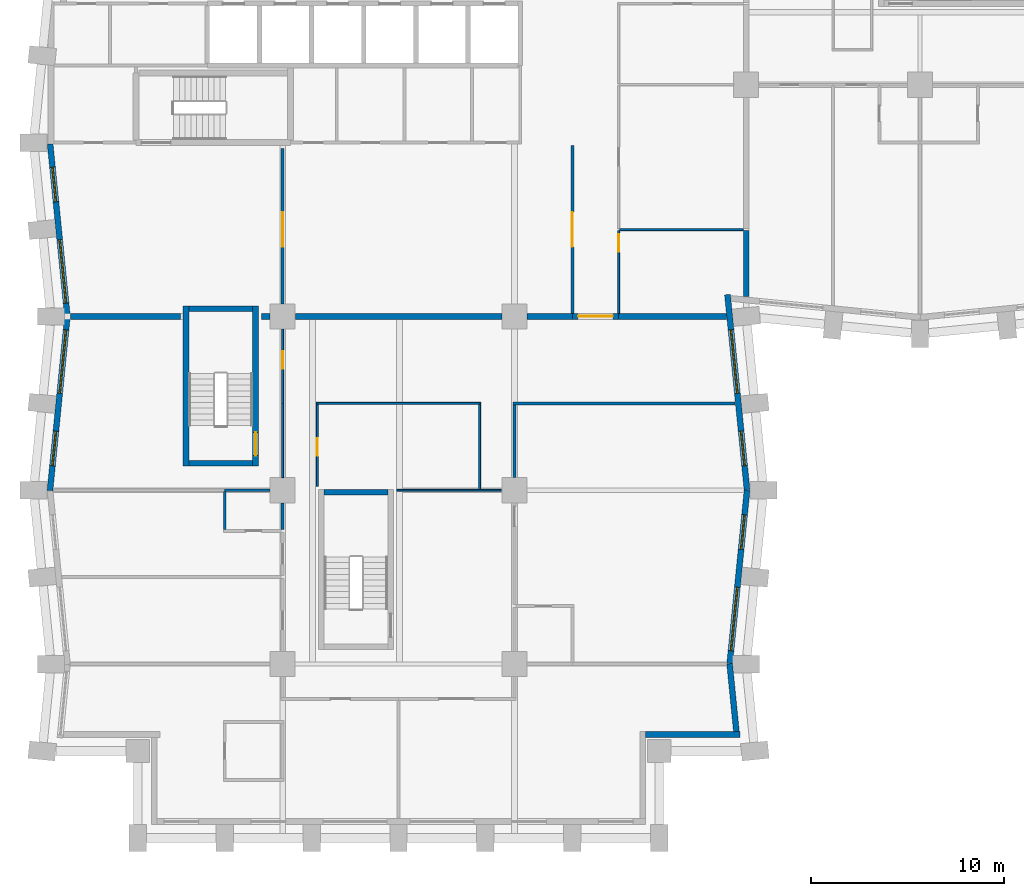
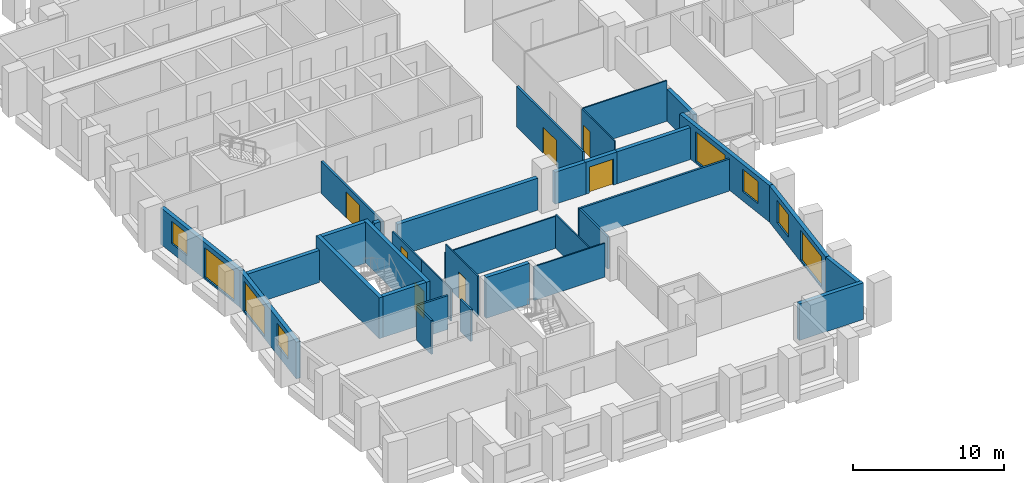
# One storey, part 4 of 13: 33 walls, 8 windows, 7 doors, 15 openings.
"""IFC4 building model written with IfcOpenShell, lengths in metres."""

from ifc_helpers import new_model, si_unit, direction, frame, frame_2d, origin, place, context, subcontext, project, spatial, rectangle, extrude, material, layer, layer_set, type_object, element, fill, save


model = new_model("IFC4")

# Units and contexts
model_context = context("Model", 3, precision=1e-05, world=origin(), true_north=direction((0.0, 1.0)))
body_context = subcontext(model_context, "Body", "Model", "MODEL_VIEW")
ifc_project = project(units=[si_unit("LENGTHUNIT", "METRE"), si_unit("AREAUNIT", "SQUARE_METRE"), si_unit("VOLUMEUNIT", "CUBIC_METRE"), si_unit("PLANEANGLEUNIT", "RADIAN"), si_unit("MASSUNIT", "GRAM", prefix="KILO")], contexts=[model_context])

# Site, building, storey
site_placement = place(None, origin())
site = spatial("IfcSite", under=ifc_project, at=site_placement, CompositionType="ELEMENT")
building_placement = place(site_placement, origin())
building = spatial("IfcBuilding", under=site, at=building_placement, Name="Brondeck Convention Tower", CompositionType="ELEMENT")
storey_placement = place(building_placement, frame((0.0, 0.0, 69.89990234375)))
storey = spatial("IfcBuildingStorey", under=building, at=storey_placement, Name="L15", CompositionType="ELEMENT", Elevation=69.89990234375)

# Walls
ifc_material_1 = material(Name="Concrete compartment wall C30/37", Category="concrete")
ifc_layer_1 = layer(ifc_material_1, 0.300048828125)
ifc_layer_set_1 = layer_set([ifc_layer_1], Name="Compartment wall 300")
wall_type_1 = type_object("IfcWallType", Name="Compartment wall 300", PredefinedType="PARTITIONING", material=ifc_layer_set_1)
wall_1_placement = place(storey_placement, frame((6.699951171875, 27.0, 0.0), z_axis=(0.0, 0.0, 1.0), x_axis=(-1.0, 0.0, 0.0)))
element("IfcWall", 1, at=wall_1_placement, inside=storey, type_object=wall_type_1, Name="FLR-L15-W033", PredefinedType="PARTITIONING", context=body_context, shape_type="SweptSolid", body=[
    extrude(rectangle(XDim=5.675048828125, YDim=0.300048828125, at=frame_2d((2.83740234375, 0.0))), origin(), (0.0, 0.0, 1.0), 2.580078125),
])
wall_2_placement = place(storey_placement, frame((11.344970703125, 27.0, 0.0), z_axis=(0.0, 0.0, 1.0), x_axis=(-1.0, 0.0, 0.0)))
element("IfcWall", 2, at=wall_2_placement, inside=storey, type_object=wall_type_1, Name="FLR-L15-W034", PredefinedType="PARTITIONING", context=body_context, shape_type="SweptSolid", body=[
    extrude(rectangle(XDim=0.445068359375, YDim=0.300048828125, at=frame_2d((0.22265625, 0.0))), origin(), (0.0, 0.0, 1.0), 3.280029296875),
])
wall_3_placement = place(storey_placement, frame((23.344970703125, 27.0, 0.0), z_axis=(0.0, 0.0, 1.0), x_axis=(-1.0, 0.0, 0.0)))
element("IfcWall", 3, at=wall_3_placement, inside=storey, type_object=wall_type_1, Name="FLR-L15-W035", PredefinedType="PARTITIONING", context=body_context, shape_type="SweptSolid", body=[
    extrude(rectangle(XDim=10.68994140625, YDim=0.300048828125, at=frame_2d((5.344970703125, 0.0))), origin(), (0.0, 0.0, 1.0), 2.580078125),
])
wall_4_placement = place(storey_placement, frame((27.0, 27.0, 0.0), z_axis=(0.0, 0.0, 1.0), x_axis=(-1.0, 0.0, 0.0)))
element("IfcWall", 4, at=wall_4_placement, inside=storey, type_object=wall_type_1, Name="FLR-L15-W036", PredefinedType="PARTITIONING", context=body_context, shape_type="SweptSolid", body=[
    extrude(rectangle(XDim=2.344970703125, YDim=0.300048828125, at=frame_2d((1.17236328125, 0.0))), origin(), (0.0, 0.0, 1.0), 2.580078125),
])

# Wall, opening, door
wall_5_placement = place(storey_placement, frame((29.39990234375, 27.0, 0.0), z_axis=(0.0, 0.0, 1.0), x_axis=(-1.0, 0.0, 0.0)))
wall_5 = element("IfcWall", 5, at=wall_5_placement, inside=storey, type_object=wall_type_1, Name="FLR-L15-W037", PredefinedType="PARTITIONING", context=body_context, shape_type="SweptSolid", body=[
    extrude(rectangle(XDim=2.39990234375, YDim=0.300048828125, at=frame_2d((1.199951171875, 0.0))), origin(), (0.0, 0.0, 1.0), 2.580078125),
])
opening_1_placement = place(wall_5_placement, frame((0.300048828125, 0.0, 0.0)))
opening_1 = element("IfcOpeningElement", 6, at=opening_1_placement, cuts=wall_5, Name="Opening H4-042", PredefinedType="OPENING", context=body_context, shape_type="SweptSolid", body=[
    extrude(rectangle(XDim=1.800048828125, YDim=2.10009765625, at=frame_2d((0.89990234375, 1.050048828125))), frame((0.0, 0.159912109375, 0.0), z_axis=(0.0, -1.0, 0.0), x_axis=(1.0, 0.0, 0.0)), (0.0, 0.0, 1.0), 0.320068359375),
])
ifc_material_2 = material(Name="Steel fire door pair", Category="steel")
door_type_1 = type_object("IfcDoorType", Name="Fire door pair 1800", OperationType="DOUBLE_DOOR_SINGLE_SWING", PredefinedType="DOOR", material=ifc_material_2)
door_1_placement = place(opening_1_placement, origin())
door_1 = element("IfcDoor", 7, at=door_1_placement, inside=storey, type_object=door_type_1, Name="Door H4-042", OperationType="DOUBLE_DOOR_SINGLE_SWING", OverallHeight=2.10009765625, OverallWidth=1.800048828125, PredefinedType="DOOR", context=body_context, shape_type="SweptSolid", body=[
    extrude(rectangle(XDim=1.800048828125, YDim=2.10009765625, at=frame_2d((0.89990234375, 1.050048828125))), frame((0.0, 0.02490234375, 0.0), z_axis=(0.0, -1.0, 0.0), x_axis=(1.0, 0.0, 0.0)), (0.0, 0.0, 1.0), 0.050048828125),
])
fill(opening_1, door_1)

# Walls
wall_6_placement = place(storey_placement, frame((34.97509765625, 27.0, 0.0), z_axis=(0.0, 0.0, 1.0), x_axis=(-1.0, 0.0, 0.0)))
element("IfcWall", 8, at=wall_6_placement, inside=storey, type_object=wall_type_1, Name="FLR-L15-W038", PredefinedType="PARTITIONING", context=body_context, shape_type="SweptSolid", body=[
    extrude(rectangle(XDim=5.5751953125, YDim=0.300048828125, at=frame_2d((2.78759765625, 0.0))), origin(), (0.0, 0.0, 1.0), 2.580078125),
])
wall_7_placement = place(storey_placement, frame((36.0, 31.449951171875, 0.0), z_axis=(0.0, 0.0, 1.0), x_axis=(0.0, -1.0, 0.0)))
element("IfcWall", 9, at=wall_7_placement, inside=storey, type_object=wall_type_1, Name="FLR-L15-W041", PredefinedType="PARTITIONING", context=body_context, shape_type="SweptSolid", body=[
    extrude(rectangle(XDim=3.425048828125, YDim=0.300048828125, at=frame_2d((1.71240234375, 0.0))), origin(), (0.0, 0.0, 1.0), 2.580078125),
])
ifc_material_3 = material(Name="Precast concrete C50/60 bronze finish", Category="concrete")
ifc_layer_2 = layer(ifc_material_3, 0.070068359375, Name="Bronze precast facing")
ifc_material_4 = material(Name="Mineral wool")
ifc_layer_3 = layer(ifc_material_4, 0.159912109375, Name="Insulation")
ifc_material_5 = material(Name="Concrete C35/45", Category="concrete")
ifc_layer_4 = layer(ifc_material_5, 0.070068359375, Name="Backing")
ifc_layer_set_2 = layer_set([ifc_layer_2, ifc_layer_3, ifc_layer_4], Name="External infill wall, precast concrete C50/60 bronze facing")
wall_type_2 = type_object("IfcWallType", Name="External infill wall, precast concrete C50/60 bronze facing", PredefinedType="SOLIDWALL", material=ifc_layer_set_2)
wall_8_placement = place(storey_placement, frame((35.676513671875, 5.35009765625, 0.0), z_axis=(0.0, 0.0, 1.0), x_axis=(-1.0, 0.0, 0.0)))
element("IfcWall", 10, at=wall_8_placement, inside=storey, type_object=wall_type_2, Name="ENV-EW-L15-P0-NC-SEB0-02", PredefinedType="SOLIDWALL", context=body_context, shape_type="SweptSolid", body=[
    extrude(rectangle(XDim=4.87646484375, YDim=0.300048828125, at=frame_2d((2.438232421875, 0.0))), origin(), (0.0, 0.0, 1.0), 2.9501953125),
])
wall_9_placement = place(storey_placement, frame((35.144287109375, 9.014892578125, 0.0), z_axis=(0.0, 0.0, 1.0), x_axis=(0.099462600847, -0.995041301169, 0.0)))
element("IfcWall", 11, at=wall_9_placement, inside=storey, type_object=wall_type_2, Name="ENV-EW-L15-P0-B-E-04", PredefinedType="SOLIDWALL", context=body_context, shape_type="SweptSolid", body=[
    extrude(rectangle(XDim=3.52734375, YDim=0.300048828125, at=frame_2d((1.763671875, 0.0))), origin(), (0.0, 0.0, 1.0), 2.9501953125),
])

# Wall, openings, windows
wall_10_placement = place(storey_placement, frame((36.04736328125, 18.014892578125, 0.0), z_axis=(0.0, 0.0, 1.0), x_axis=(-0.099522457379, -0.995035316196, 0.0)))
wall_10 = element("IfcWall", 12, at=wall_10_placement, inside=storey, type_object=wall_type_2, Name="ENV-EW-L15-P0-B-E-03", PredefinedType="SOLIDWALL", context=body_context, shape_type="SweptSolid", body=[
    extrude(rectangle(XDim=9.030029296875, YDim=0.300048828125, at=frame_2d((4.51513671875, 0.0))), origin(), (0.0, 0.0, 1.0), 2.9501953125),
])
opening_2_placement = place(wall_10_placement, frame((1.291259765625, 0.0, 0.75)))
opening_2 = element("IfcOpeningElement", 13, at=opening_2_placement, cuts=wall_10, Name="Opening W10", PredefinedType="OPENING", context=body_context, shape_type="SweptSolid", body=[
    extrude(rectangle(XDim=1.800048828125, YDim=1.800048828125, at=frame_2d((0.89990234375, 0.89990234375))), frame((0.0, 0.159912109375, 0.0), z_axis=(0.0, -1.0, 0.0), x_axis=(1.0, 0.0, 0.0)), (0.0, 0.0, 1.0), 0.320068359375),
])
opening_3_placement = place(wall_10_placement, frame((5.063720703125, 0.0, 0.14990234375)))
opening_3 = element("IfcOpeningElement", 14, at=opening_3_placement, cuts=wall_10, Name="Opening W9", PredefinedType="OPENING", context=body_context, shape_type="SweptSolid", body=[
    extrude(rectangle(XDim=3.300048828125, YDim=2.39990234375, at=frame_2d((1.64990234375, 1.199951171875))), frame((0.0, 0.159912109375, 0.0), z_axis=(0.0, -1.0, 0.0), x_axis=(1.0, 0.0, 0.0)), (0.0, 0.0, 1.0), 0.320068359375),
])
ifc_material_6 = material(Name="Bronze tinted double glazing", Category="glass")
window_type_1 = type_object("IfcWindowType", Name="Glazed flute window, bronze tinted", PartitioningType="SINGLE_PANEL", PredefinedType="WINDOW", material=ifc_material_6)
window_1_placement = place(opening_3_placement, origin())
window_1 = element("IfcWindow", 15, at=window_1_placement, inside=storey, type_object=window_type_1, Name="ENV-WN-L15-P0-B-E-03", OverallHeight=2.39990234375, OverallWidth=3.300048828125, PartitioningType="SINGLE_PANEL", PredefinedType="WINDOW", context=body_context, shape_type="SweptSolid", body=[
    extrude(rectangle(XDim=3.300048828125, YDim=2.39990234375, at=frame_2d((1.64990234375, 1.199951171875))), frame((0.0, 0.030029296875, 0.0), z_axis=(0.0, -1.0, 0.0), x_axis=(1.0, 0.0, 0.0)), (0.0, 0.0, 1.0), 0.06005859375),
])
fill(opening_3, window_1)
window_type_2 = type_object("IfcWindowType", Name="Punched window, bronze tinted", PartitioningType="SINGLE_PANEL", PredefinedType="WINDOW", material=ifc_material_6)
window_2_placement = place(opening_2_placement, origin())
window_2 = element("IfcWindow", 16, at=window_2_placement, inside=storey, type_object=window_type_2, Name="ENV-WN-L15-P0-B-E-02", OverallHeight=1.800048828125, OverallWidth=1.800048828125, PartitioningType="SINGLE_PANEL", PredefinedType="WINDOW", context=body_context, shape_type="SweptSolid", body=[
    extrude(rectangle(XDim=1.800048828125, YDim=1.800048828125, at=frame_2d((0.89990234375, 0.89990234375))), frame((0.0, 0.030029296875, 0.0), z_axis=(0.0, -1.0, 0.0), x_axis=(1.0, 0.0, 0.0)), (0.0, 0.0, 1.0), 0.06005859375),
])
fill(opening_2, window_2)

wall_11_placement = place(storey_placement, frame((35.03271484375, 28.131591796875, 0.0), z_axis=(0.0, 0.0, 1.0), x_axis=(0.099487051997, -0.995038856771, 0.0)))
wall_11 = element("IfcWall", 17, at=wall_11_placement, inside=storey, type_object=wall_type_2, Name="ENV-EW-L15-P0-B-E-01", PredefinedType="SOLIDWALL", context=body_context, shape_type="SweptSolid", body=[
    extrude(rectangle(XDim=10.152099609375, YDim=0.300048828125, at=frame_2d((5.076171875, 0.0))), origin(), (0.0, 0.0, 1.0), 2.9501953125),
])
opening_4_placement = place(wall_11_placement, frame((1.83349609375, 0.0, 0.14990234375)))
opening_4 = element("IfcOpeningElement", 18, at=opening_4_placement, cuts=wall_11, Name="Opening W9", PredefinedType="OPENING", context=body_context, shape_type="SweptSolid", body=[
    extrude(rectangle(XDim=3.300048828125, YDim=2.39990234375, at=frame_2d((1.64990234375, 1.199951171875))), frame((0.0, 0.159912109375, 0.0), z_axis=(0.0, -1.0, 0.0), x_axis=(1.0, 0.0, 0.0)), (0.0, 0.0, 1.0), 0.320068359375),
])
opening_5_placement = place(wall_11_placement, frame((7.10595703125, 0.0, 0.75)))
opening_5 = element("IfcOpeningElement", 19, at=opening_5_placement, cuts=wall_11, Name="Opening W10", PredefinedType="OPENING", context=body_context, shape_type="SweptSolid", body=[
    extrude(rectangle(XDim=1.800048828125, YDim=1.800048828125, at=frame_2d((0.89990234375, 0.89990234375))), frame((0.0, 0.159912109375, 0.0), z_axis=(0.0, -1.0, 0.0), x_axis=(1.0, 0.0, 0.0)), (0.0, 0.0, 1.0), 0.320068359375),
])
window_3_placement = place(opening_4_placement, origin())
window_3 = element("IfcWindow", 20, at=window_3_placement, inside=storey, type_object=window_type_1, Name="ENV-WN-L15-P0-B-E-00", OverallHeight=2.39990234375, OverallWidth=3.300048828125, PartitioningType="SINGLE_PANEL", PredefinedType="WINDOW", context=body_context, shape_type="SweptSolid", body=[
    extrude(rectangle(XDim=3.300048828125, YDim=2.39990234375, at=frame_2d((1.64990234375, 1.199951171875))), frame((0.0, 0.030029296875, 0.0), z_axis=(0.0, -1.0, 0.0), x_axis=(1.0, 0.0, 0.0)), (0.0, 0.0, 1.0), 0.06005859375),
])
fill(opening_4, window_3)
window_4_placement = place(opening_5_placement, origin())
window_4 = element("IfcWindow", 21, at=window_4_placement, inside=storey, type_object=window_type_2, Name="ENV-WN-L15-P0-B-E-01", OverallHeight=1.800048828125, OverallWidth=1.800048828125, PartitioningType="SINGLE_PANEL", PredefinedType="WINDOW", context=body_context, shape_type="SweptSolid", body=[
    extrude(rectangle(XDim=1.800048828125, YDim=1.800048828125, at=frame_2d((0.89990234375, 0.89990234375))), frame((0.0, 0.030029296875, 0.0), z_axis=(0.0, -1.0, 0.0), x_axis=(1.0, 0.0, 0.0)), (0.0, 0.0, 1.0), 0.06005859375),
])
fill(opening_5, window_4)

wall_12_placement = place(storey_placement, frame((0.855712890625, 26.985107421875, 0.0), z_axis=(0.0, 0.0, 1.0), x_axis=(-0.099503719021, 0.99503719021, 0.0)))
wall_12 = element("IfcWall", 22, at=wall_12_placement, inside=storey, type_object=wall_type_2, Name="ENV-EW-L15-P0-B-W-06", PredefinedType="SOLIDWALL", context=body_context, shape_type="SweptSolid", body=[
    extrude(rectangle(XDim=8.994873046875, YDim=0.300048828125, at=frame_2d((4.49755859375, 0.0))), origin(), (0.0, 0.0, 1.0), 2.9501953125),
])
opening_6_placement = place(wall_12_placement, frame((0.711181640625, 0.0, 0.14990234375)))
opening_6 = element("IfcOpeningElement", 23, at=opening_6_placement, cuts=wall_12, Name="Opening W9", PredefinedType="OPENING", context=body_context, shape_type="SweptSolid", body=[
    extrude(rectangle(XDim=3.300048828125, YDim=2.39990234375, at=frame_2d((1.64990234375, 1.199951171875))), frame((0.0, 0.159912109375, 0.0), z_axis=(0.0, -1.0, 0.0), x_axis=(1.0, 0.0, 0.0)), (0.0, 0.0, 1.0), 0.320068359375),
])
opening_7_placement = place(wall_12_placement, frame((5.983642578125, 0.0, 0.75)))
opening_7 = element("IfcOpeningElement", 24, at=opening_7_placement, cuts=wall_12, Name="Opening W10", PredefinedType="OPENING", context=body_context, shape_type="SweptSolid", body=[
    extrude(rectangle(XDim=1.800048828125, YDim=1.800048828125, at=frame_2d((0.89990234375, 0.89990234375))), frame((0.0, 0.159912109375, 0.0), z_axis=(0.0, -1.0, 0.0), x_axis=(1.0, 0.0, 0.0)), (0.0, 0.0, 1.0), 0.320068359375),
])
window_5_placement = place(opening_6_placement, origin())
window_5 = element("IfcWindow", 25, at=window_5_placement, inside=storey, type_object=window_type_1, Name="ENV-WN-L15-P0-B-W-07", OverallHeight=2.39990234375, OverallWidth=3.300048828125, PartitioningType="SINGLE_PANEL", PredefinedType="WINDOW", context=body_context, shape_type="SweptSolid", body=[
    extrude(rectangle(XDim=3.300048828125, YDim=2.39990234375, at=frame_2d((1.64990234375, 1.199951171875))), frame((0.0, 0.030029296875, 0.0), z_axis=(0.0, -1.0, 0.0), x_axis=(1.0, 0.0, 0.0)), (0.0, 0.0, 1.0), 0.06005859375),
])
fill(opening_6, window_5)
window_6_placement = place(opening_7_placement, origin())
window_6 = element("IfcWindow", 26, at=window_6_placement, inside=storey, type_object=window_type_2, Name="ENV-WN-L15-P0-B-W-06", OverallHeight=1.800048828125, OverallWidth=1.800048828125, PartitioningType="SINGLE_PANEL", PredefinedType="WINDOW", context=body_context, shape_type="SweptSolid", body=[
    extrude(rectangle(XDim=1.800048828125, YDim=1.800048828125, at=frame_2d((0.89990234375, 0.89990234375))), frame((0.0, 0.030029296875, 0.0), z_axis=(0.0, -1.0, 0.0), x_axis=(1.0, 0.0, 0.0)), (0.0, 0.0, 1.0), 0.06005859375),
])
fill(opening_7, window_6)

wall_13_placement = place(storey_placement, frame((-0.04736328125, 17.985107421875, 0.0), z_axis=(0.0, 0.0, 1.0), x_axis=(0.099522457379, 0.995035316196, 0.0)))
wall_13 = element("IfcWall", 27, at=wall_13_placement, inside=storey, type_object=wall_type_2, Name="ENV-EW-L15-P0-B-W-08", PredefinedType="SOLIDWALL", context=body_context, shape_type="SweptSolid", body=[
    extrude(rectangle(XDim=9.030029296875, YDim=0.300048828125, at=frame_2d((4.51513671875, 0.0))), origin(), (0.0, 0.0, 1.0), 2.9501953125),
])
opening_8_placement = place(wall_13_placement, frame((1.291259765625, 0.0, 0.75)))
opening_8 = element("IfcOpeningElement", 28, at=opening_8_placement, cuts=wall_13, Name="Opening W10", PredefinedType="OPENING", context=body_context, shape_type="SweptSolid", body=[
    extrude(rectangle(XDim=1.800048828125, YDim=1.800048828125, at=frame_2d((0.89990234375, 0.89990234375))), frame((0.0, 0.159912109375, 0.0), z_axis=(0.0, -1.0, 0.0), x_axis=(1.0, 0.0, 0.0)), (0.0, 0.0, 1.0), 0.320068359375),
])
opening_9_placement = place(wall_13_placement, frame((5.063720703125, 0.0, 0.14990234375)))
opening_9 = element("IfcOpeningElement", 29, at=opening_9_placement, cuts=wall_13, Name="Opening W9", PredefinedType="OPENING", context=body_context, shape_type="SweptSolid", body=[
    extrude(rectangle(XDim=3.300048828125, YDim=2.39990234375, at=frame_2d((1.64990234375, 1.199951171875))), frame((0.0, 0.159912109375, 0.0), z_axis=(0.0, -1.0, 0.0), x_axis=(1.0, 0.0, 0.0)), (0.0, 0.0, 1.0), 0.320068359375),
])
window_7_placement = place(opening_9_placement, origin())
window_7 = element("IfcWindow", 30, at=window_7_placement, inside=storey, type_object=window_type_1, Name="ENV-WN-L15-P0-B-W-08", OverallHeight=2.39990234375, OverallWidth=3.300048828125, PartitioningType="SINGLE_PANEL", PredefinedType="WINDOW", context=body_context, shape_type="SweptSolid", body=[
    extrude(rectangle(XDim=3.300048828125, YDim=2.39990234375, at=frame_2d((1.64990234375, 1.199951171875))), frame((0.0, 0.030029296875, 0.0), z_axis=(0.0, -1.0, 0.0), x_axis=(1.0, 0.0, 0.0)), (0.0, 0.0, 1.0), 0.06005859375),
])
fill(opening_9, window_7)
window_8_placement = place(opening_8_placement, origin())
window_8 = element("IfcWindow", 31, at=window_8_placement, inside=storey, type_object=window_type_2, Name="ENV-WN-L15-P0-B-W-09", OverallHeight=1.800048828125, OverallWidth=1.800048828125, PartitioningType="SINGLE_PANEL", PredefinedType="WINDOW", context=body_context, shape_type="SweptSolid", body=[
    extrude(rectangle(XDim=1.800048828125, YDim=1.800048828125, at=frame_2d((0.89990234375, 0.89990234375))), frame((0.0, 0.030029296875, 0.0), z_axis=(0.0, -1.0, 0.0), x_axis=(1.0, 0.0, 0.0)), (0.0, 0.0, 1.0), 0.06005859375),
])
fill(opening_8, window_8)

# Walls
ifc_material_7 = material(Name="Double gypsum board acoustic wall")
ifc_layer_5 = layer(ifc_material_7, 0.14990234375)
ifc_layer_set_3 = layer_set([ifc_layer_5], Name="Guest room party wall 150")
wall_type_3 = type_object("IfcWallType", Name="Guest room party wall 150", PredefinedType="PARTITIONING", material=ifc_layer_set_3)
wall_14_placement = place(storey_placement, frame((12.0, 15.97509765625, 0.0), z_axis=(0.0, 0.0, 1.0), x_axis=(0.0, 1.0, 0.0)))
element("IfcWall", 32, at=wall_14_placement, inside=storey, type_object=wall_type_3, Name="FLR-L15-W020", PredefinedType="PARTITIONING", context=body_context, shape_type="SweptSolid", body=[
    extrude(rectangle(XDim=1.369873046875, YDim=0.14990234375, at=frame_2d((0.68505859375, 0.0))), origin(), (0.0, 0.0, 1.0), 2.580078125),
])
wall_15_placement = place(storey_placement, frame((9.0, 17.925048828125, 0.0), z_axis=(0.0, 0.0, 1.0), x_axis=(0.0, -1.0, 0.0)))
element("IfcWall", 33, at=wall_15_placement, inside=storey, type_object=wall_type_3, Name="FLR-L15-W022", PredefinedType="PARTITIONING", context=body_context, shape_type="SweptSolid", body=[
    extrude(rectangle(XDim=1.949951171875, YDim=0.14990234375, at=frame_2d((0.97509765625, 0.0))), origin(), (0.0, 0.0, 1.0), 2.72998046875),
])
wall_16_placement = place(storey_placement, frame((11.344970703125, 18.0, 0.0), z_axis=(0.0, 0.0, 1.0), x_axis=(-1.0, 0.0, 0.0)))
element("IfcWall", 34, at=wall_16_placement, inside=storey, type_object=wall_type_3, Name="FLR-L15-W024", PredefinedType="PARTITIONING", context=body_context, shape_type="SweptSolid", body=[
    extrude(rectangle(XDim=2.344970703125, YDim=0.14990234375, at=frame_2d((1.17236328125, 0.0))), origin(), (0.0, 0.0, 1.0), 2.72998046875),
])
wall_17_placement = place(storey_placement, frame((24.0, 22.425048828125, 0.0), z_axis=(0.0, 0.0, 1.0), x_axis=(0.0, -1.0, 0.0)))
element("IfcWall", 35, at=wall_17_placement, inside=storey, type_object=wall_type_3, Name="FLR-L15-W027", PredefinedType="PARTITIONING", context=body_context, shape_type="SweptSolid", body=[
    extrude(rectangle(XDim=3.77001953125, YDim=0.14990234375, at=frame_2d((1.885009765625, 0.0))), origin(), (0.0, 0.0, 1.0), 2.580078125),
])
wall_18_placement = place(storey_placement, frame((35.425048828125, 22.5, 0.0), z_axis=(0.0, 0.0, 1.0), x_axis=(-1.0, 0.0, 0.0)))
element("IfcWall", 36, at=wall_18_placement, inside=storey, type_object=wall_type_3, Name="FLR-L15-W032", PredefinedType="PARTITIONING", context=body_context, shape_type="SweptSolid", body=[
    extrude(rectangle(XDim=11.5, YDim=0.14990234375, at=frame_2d((5.75, 0.0))), origin(), (0.0, 0.0, 1.0), 2.580078125),
])

# Wall, opening, door
wall_19_placement = place(storey_placement, frame((27.0, 27.14990234375, 0.0), z_axis=(0.0, 0.0, 1.0), x_axis=(0.0, 1.0, 0.0)))
wall_19 = element("IfcWall", 37, at=wall_19_placement, inside=storey, type_object=wall_type_3, Name="FLR-L15-W039", PredefinedType="PARTITIONING", context=body_context, shape_type="SweptSolid", body=[
    extrude(rectangle(XDim=8.7001953125, YDim=0.14990234375, at=frame_2d((4.35009765625, 0.0))), origin(), (0.0, 0.0, 1.0), 3.280029296875),
])
opening_10_placement = place(wall_19_placement, frame((3.449951171875, 0.0, 0.0)))
opening_10 = element("IfcOpeningElement", 38, at=opening_10_placement, cuts=wall_19, Name="Opening H4-039", PredefinedType="OPENING", context=body_context, shape_type="SweptSolid", body=[
    extrude(rectangle(XDim=1.800048828125, YDim=2.10009765625, at=frame_2d((0.89990234375, 1.050048828125))), frame((0.0, 0.0849609375, 0.0), z_axis=(0.0, -1.0, 0.0), x_axis=(1.0, 0.0, 0.0)), (0.0, 0.0, 1.0), 0.169921875),
])
ifc_material_8 = material(Name="Glazed timber double door", Category="wood")
door_type_2 = type_object("IfcDoorType", Name="Double door 1800", OperationType="DOUBLE_DOOR_SINGLE_SWING", PredefinedType="DOOR", material=ifc_material_8)
door_2_placement = place(opening_10_placement, origin())
door_2 = element("IfcDoor", 39, at=door_2_placement, inside=storey, type_object=door_type_2, Name="Door H4-039", OperationType="DOUBLE_DOOR_SINGLE_SWING", OverallHeight=2.10009765625, OverallWidth=1.800048828125, PredefinedType="DOOR", context=body_context, shape_type="SweptSolid", body=[
    extrude(rectangle(XDim=1.800048828125, YDim=2.10009765625, at=frame_2d((0.89990234375, 1.050048828125))), frame((0.0, 0.02490234375, 0.0), z_axis=(0.0, -1.0, 0.0), x_axis=(1.0, 0.0, 0.0)), (0.0, 0.0, 1.0), 0.050048828125),
])
fill(opening_10, door_2)

wall_20_placement = place(storey_placement, frame((12.0, 27.655029296875, 0.0), z_axis=(0.0, 0.0, 1.0), x_axis=(0.0, 1.0, 0.0)))
wall_20 = element("IfcWall", 40, at=wall_20_placement, inside=storey, type_object=wall_type_3, Name="FLR-L15-W043", PredefinedType="PARTITIONING", context=body_context, shape_type="SweptSolid", body=[
    extrude(rectangle(XDim=8.044921875, YDim=0.14990234375, at=frame_2d((4.0224609375, 0.0))), origin(), (0.0, 0.0, 1.0), 2.580078125),
])
opening_11_placement = place(wall_20_placement, frame((2.945068359375, 0.0, 0.0)))
opening_11 = element("IfcOpeningElement", 41, at=opening_11_placement, cuts=wall_20, Name="Opening H4-040", PredefinedType="OPENING", context=body_context, shape_type="SweptSolid", body=[
    extrude(rectangle(XDim=1.800048828125, YDim=2.10009765625, at=frame_2d((0.89990234375, 1.050048828125))), frame((0.0, 0.0849609375, 0.0), z_axis=(0.0, -1.0, 0.0), x_axis=(1.0, 0.0, 0.0)), (0.0, 0.0, 1.0), 0.169921875),
])
door_3_placement = place(opening_11_placement, origin())
door_3 = element("IfcDoor", 42, at=door_3_placement, inside=storey, type_object=door_type_2, Name="Door H4-040", OperationType="DOUBLE_DOOR_SINGLE_SWING", OverallHeight=2.10009765625, OverallWidth=1.800048828125, PredefinedType="DOOR", context=body_context, shape_type="SweptSolid", body=[
    extrude(rectangle(XDim=1.800048828125, YDim=2.10009765625, at=frame_2d((0.89990234375, 1.050048828125))), frame((0.0, 0.02490234375, 0.0), z_axis=(0.0, -1.0, 0.0), x_axis=(1.0, 0.0, 0.0)), (0.0, 0.0, 1.0), 0.050048828125),
])
fill(opening_11, door_3)

# Walls
ifc_material_9 = material(Name="Gypsum board partition on steel studs", Category="steel")
ifc_layer_6 = layer(ifc_material_9, 0.10009765625)
ifc_layer_set_4 = layer_set([ifc_layer_6], Name="Room partition 100")
wall_type_4 = type_object("IfcWallType", Name="Room partition 100", PredefinedType="PARTITIONING", material=ifc_layer_set_4)
wall_21_placement = place(storey_placement, frame((23.330078125, 18.0, 0.0), z_axis=(0.0, 0.0, 1.0), x_axis=(-1.0, 0.0, 0.0)))
element("IfcWall", 43, at=wall_21_placement, inside=storey, type_object=wall_type_4, Name="FLR-L15-W025", PredefinedType="PARTITIONING", context=body_context, shape_type="SweptSolid", body=[
    extrude(rectangle(XDim=5.43017578125, YDim=0.10009765625, at=frame_2d((2.715087890625, 0.0))), origin(), (0.0, 0.0, 1.0), 2.72998046875),
])
wall_22_placement = place(storey_placement, frame((22.199951171875, 18.050048828125, 0.0), z_axis=(0.0, 0.0, 1.0), x_axis=(0.0, 1.0, 0.0)))
element("IfcWall", 44, at=wall_22_placement, inside=storey, type_object=wall_type_4, Name="FLR-L15-W026", PredefinedType="PARTITIONING", context=body_context, shape_type="SweptSolid", body=[
    extrude(rectangle(XDim=4.39990234375, YDim=0.10009765625, at=frame_2d((2.199951171875, 0.0))), origin(), (0.0, 0.0, 1.0), 2.72998046875),
])

# Wall, opening, door
wall_23_placement = place(storey_placement, frame((13.800048828125, 22.449951171875, 0.0), z_axis=(0.0, 0.0, 1.0), x_axis=(0.0, -1.0, 0.0)))
wall_23 = element("IfcWall", 45, at=wall_23_placement, inside=storey, type_object=wall_type_4, Name="FLR-L15-W028", PredefinedType="PARTITIONING", context=body_context, shape_type="SweptSolid", body=[
    extrude(rectangle(XDim=4.25, YDim=0.10009765625, at=frame_2d((2.125, 0.0))), origin(), (0.0, 0.0, 1.0), 3.280029296875),
])
opening_12_placement = place(wall_23_placement, frame((1.75, 0.0, 0.0)))
opening_12 = element("IfcOpeningElement", 46, at=opening_12_placement, cuts=wall_23, Name="Opening H4-029", PredefinedType="OPENING", context=body_context, shape_type="SweptSolid", body=[
    extrude(rectangle(XDim=0.89990234375, YDim=2.10009765625, at=frame_2d((0.449951171875, 1.050048828125))), frame((0.0, 0.06005859375, 0.0), z_axis=(0.0, -1.0, 0.0), x_axis=(1.0, 0.0, 0.0)), (0.0, 0.0, 1.0), 0.1201171875),
])
ifc_material_10 = material(Name="Solid timber door leaf", Category="wood")
door_type_3 = type_object("IfcDoorType", Name="Single door 900", OperationType="NOTDEFINED", PredefinedType="DOOR", material=ifc_material_10)
door_4_placement = place(opening_12_placement, origin())
door_4 = element("IfcDoor", 47, at=door_4_placement, inside=storey, type_object=door_type_3, Name="Door H4-029", OperationType="SINGLE_SWING_LEFT", OverallHeight=2.10009765625, OverallWidth=0.89990234375, PredefinedType="DOOR", context=body_context, shape_type="SweptSolid", body=[
    extrude(rectangle(XDim=0.89990234375, YDim=2.10009765625, at=frame_2d((0.449951171875, 1.050048828125))), frame((0.0, 0.02490234375, 0.0), z_axis=(0.0, -1.0, 0.0), x_axis=(1.0, 0.0, 0.0)), (0.0, 0.0, 1.0), 0.050048828125),
])
fill(opening_12, door_4)

# Wall
wall_24_placement = place(storey_placement, frame((12.0, 22.5, 0.0), z_axis=(0.0, 0.0, 1.0), x_axis=(0.0, -1.0, 0.0)))
element("IfcWall", 48, at=wall_24_placement, inside=storey, type_object=wall_type_4, Name="FLR-L15-W029", PredefinedType="PARTITIONING", context=body_context, shape_type="SweptSolid", body=[
    extrude(rectangle(XDim=3.844970703125, YDim=0.10009765625, at=frame_2d((1.92236328125, 0.0))), origin(), (0.0, 0.0, 1.0), 2.580078125),
])

# Wall, opening, door
wall_25_placement = place(storey_placement, frame((12.0, 26.344970703125, 0.0), z_axis=(0.0, 0.0, 1.0), x_axis=(0.0, -1.0, 0.0)))
wall_25 = element("IfcWall", 49, at=wall_25_placement, inside=storey, type_object=wall_type_4, Name="FLR-L15-W030", PredefinedType="PARTITIONING", context=body_context, shape_type="SweptSolid", body=[
    extrude(rectangle(XDim=3.844970703125, YDim=0.10009765625, at=frame_2d((1.92236328125, 0.0))), origin(), (0.0, 0.0, 1.0), 2.580078125),
])
opening_13_placement = place(wall_25_placement, frame((1.14501953125, 0.0, 0.0)))
opening_13 = element("IfcOpeningElement", 50, at=opening_13_placement, cuts=wall_25, Name="Opening H4-023", PredefinedType="OPENING", context=body_context, shape_type="SweptSolid", body=[
    extrude(rectangle(XDim=0.89990234375, YDim=2.10009765625, at=frame_2d((0.449951171875, 1.050048828125))), frame((0.0, 0.06005859375, 0.0), z_axis=(0.0, -1.0, 0.0), x_axis=(1.0, 0.0, 0.0)), (0.0, 0.0, 1.0), 0.1201171875),
])
door_5_placement = place(opening_13_placement, origin())
door_5 = element("IfcDoor", 51, at=door_5_placement, inside=storey, type_object=door_type_3, Name="Door H4-023", OperationType="SINGLE_SWING_LEFT", OverallHeight=2.10009765625, OverallWidth=0.89990234375, PredefinedType="DOOR", context=body_context, shape_type="SweptSolid", body=[
    extrude(rectangle(XDim=0.89990234375, YDim=2.10009765625, at=frame_2d((0.449951171875, 1.050048828125))), frame((0.0, 0.02490234375, 0.0), z_axis=(0.0, -1.0, 0.0), x_axis=(1.0, 0.0, 0.0)), (0.0, 0.0, 1.0), 0.050048828125),
])
fill(opening_13, door_5)

# Wall
wall_26_placement = place(storey_placement, frame((22.25, 22.5, 0.0), z_axis=(0.0, 0.0, 1.0), x_axis=(-1.0, 0.0, 0.0)))
element("IfcWall", 52, at=wall_26_placement, inside=storey, type_object=wall_type_4, Name="FLR-L15-W031", PredefinedType="PARTITIONING", context=body_context, shape_type="SweptSolid", body=[
    extrude(rectangle(XDim=8.5, YDim=0.10009765625, at=frame_2d((4.25, 0.0))), origin(), (0.0, 0.0, 1.0), 2.580078125),
])

# Wall, opening, door
wall_27_placement = place(storey_placement, frame((29.39990234375, 31.449951171875, 0.0), z_axis=(0.0, 0.0, 1.0), x_axis=(0.0, -1.0, 0.0)))
wall_27 = element("IfcWall", 53, at=wall_27_placement, inside=storey, type_object=wall_type_4, Name="FLR-L15-W040", PredefinedType="PARTITIONING", context=body_context, shape_type="SweptSolid", body=[
    extrude(rectangle(XDim=4.300048828125, YDim=0.10009765625, at=frame_2d((2.14990234375, 0.0))), origin(), (0.0, 0.0, 1.0), 3.280029296875),
])
opening_14_placement = place(wall_27_placement, frame((0.199951171875, 0.0, 0.0)))
opening_14 = element("IfcOpeningElement", 54, at=opening_14_placement, cuts=wall_27, Name="Opening H4-038", PredefinedType="OPENING", context=body_context, shape_type="SweptSolid", body=[
    extrude(rectangle(XDim=0.89990234375, YDim=2.10009765625, at=frame_2d((0.449951171875, 1.050048828125))), frame((0.0, 0.06005859375, 0.0), z_axis=(0.0, -1.0, 0.0), x_axis=(1.0, 0.0, 0.0)), (0.0, 0.0, 1.0), 0.1201171875),
])
door_6_placement = place(opening_14_placement, origin())
door_6 = element("IfcDoor", 55, at=door_6_placement, inside=storey, type_object=door_type_3, Name="Door H4-038", OperationType="SINGLE_SWING_LEFT", OverallHeight=2.10009765625, OverallWidth=0.89990234375, PredefinedType="DOOR", context=body_context, shape_type="SweptSolid", body=[
    extrude(rectangle(XDim=0.89990234375, YDim=2.10009765625, at=frame_2d((0.449951171875, 1.050048828125))), frame((0.0, 0.02490234375, 0.0), z_axis=(0.0, -1.0, 0.0), x_axis=(1.0, 0.0, 0.0)), (0.0, 0.0, 1.0), 0.050048828125),
])
fill(opening_14, door_6)

# Walls
wall_28_placement = place(storey_placement, frame((35.85009765625, 31.5, 0.0), z_axis=(0.0, 0.0, 1.0), x_axis=(-1.0, 0.0, 0.0)))
element("IfcWall", 56, at=wall_28_placement, inside=storey, type_object=wall_type_4, Name="FLR-L15-W042", PredefinedType="PARTITIONING", context=body_context, shape_type="SweptSolid", body=[
    extrude(rectangle(XDim=6.400146484375, YDim=0.10009765625, at=frame_2d((3.2001953125, 0.0))), origin(), (0.0, 0.0, 1.0), 3.280029296875),
])
ifc_material_11 = material(Name="Concrete C80/95", Category="concrete")
ifc_layer_7 = layer(ifc_material_11, 0.300048828125)
ifc_layer_set_5 = layer_set([ifc_layer_7], Name="Stair enclosure wall 300 Concrete C80/95")
wall_type_5 = type_object("IfcWallType", Name="Stair enclosure wall 300 Concrete C80/95", PredefinedType="SHEAR", material=ifc_layer_set_5)
for number, where, z_axis, x_axis, name in (
    (57, (14.14990234375, 17.89990234375, 0.0), (0.0, 0.0, 1.0), (1.0, 0.0, 0.0), "L15 core wall"),
    (58, (7.14990234375, 19.39990234375, 0.0), (0.0, 0.0, 1.0), (1.0, 0.0, 0.0), "L15 core wall"),
    (59, (7.14990234375, 27.39990234375, 0.0), (0.0, 0.0, 1.0), (1.0, 0.0, 0.0), "L15 core wall"),
):
    element("IfcWall", number, at=place(storey_placement, frame(where, z_axis=z_axis, x_axis=x_axis)), inside=storey, type_object=wall_type_5, Name=name, PredefinedType="SHEAR", context=body_context, shape_type="SweptSolid", body=[
        extrude(rectangle(XDim=3.300048828125, YDim=0.300048828125, at=frame_2d((1.64990234375, 0.0))), origin(), (0.0, 0.0, 1.0), 3.300048828125),
    ])
wall_29_placement = place(storey_placement, frame((7.0, 19.25, 0.0), z_axis=(0.0, 0.0, 1.0), x_axis=(0.0, 1.0, 0.0)))
element("IfcWall", 60, at=wall_29_placement, inside=storey, type_object=wall_type_5, Name="L15 core wall", PredefinedType="SHEAR", context=body_context, shape_type="SweptSolid", body=[
    extrude(rectangle(XDim=8.300048828125, YDim=0.300048828125, at=frame_2d((4.14990234375, 0.0))), origin(), (0.0, 0.0, 1.0), 3.300048828125),
])

# Wall, opening, door
wall_30_placement = place(storey_placement, frame((10.60009765625, 19.25, 0.0), z_axis=(0.0, 0.0, 1.0), x_axis=(0.0, 1.0, 0.0)))
wall_30 = element("IfcWall", 61, at=wall_30_placement, inside=storey, type_object=wall_type_5, Name="L15 core wall", PredefinedType="SHEAR", context=body_context, shape_type="SweptSolid", body=[
    extrude(rectangle(XDim=8.300048828125, YDim=0.300048828125, at=frame_2d((4.14990234375, 0.0))), origin(), (0.0, 0.0, 1.0), 3.300048828125),
])
opening_15_placement = place(wall_30_placement, frame((0.550048828125, 0.0, 0.0)))
opening_15 = element("IfcOpeningElement", 62, at=opening_15_placement, cuts=wall_30, Name="Opening C11-21", PredefinedType="OPENING", context=body_context, shape_type="SweptSolid", body=[
    extrude(rectangle(XDim=1.199951171875, YDim=2.199951171875, at=frame_2d((0.60009765625, 1.10009765625))), frame((0.0, 0.159912109375, 0.0), z_axis=(0.0, -1.0, 0.0), x_axis=(1.0, 0.0, 0.0)), (0.0, 0.0, 1.0), 0.320068359375),
])
ifc_material_12 = material(Name="Steel fire door", Category="steel")
door_type_4 = type_object("IfcDoorType", Name="Stair door 1200x2200 EI 90", OperationType="NOTDEFINED", PredefinedType="DOOR", material=ifc_material_12)
door_7_placement = place(opening_15_placement, origin())
door_7 = element("IfcDoor", 63, at=door_7_placement, inside=storey, type_object=door_type_4, Name="L15 Stair door ST-BE", OperationType="SINGLE_SWING_RIGHT", OverallHeight=2.199951171875, OverallWidth=1.199951171875, PredefinedType="DOOR", context=body_context, shape_type="SweptSolid", body=[
    extrude(rectangle(XDim=1.199951171875, YDim=2.199951171875, at=frame_2d((0.60009765625, 1.10009765625))), frame((0.0, 0.02490234375, 0.0), z_axis=(0.0, -1.0, 0.0), x_axis=(1.0, 0.0, 0.0)), (0.0, 0.0, 1.0), 0.050048828125),
])
fill(opening_15, door_7)

save(model, "model.ifc")
